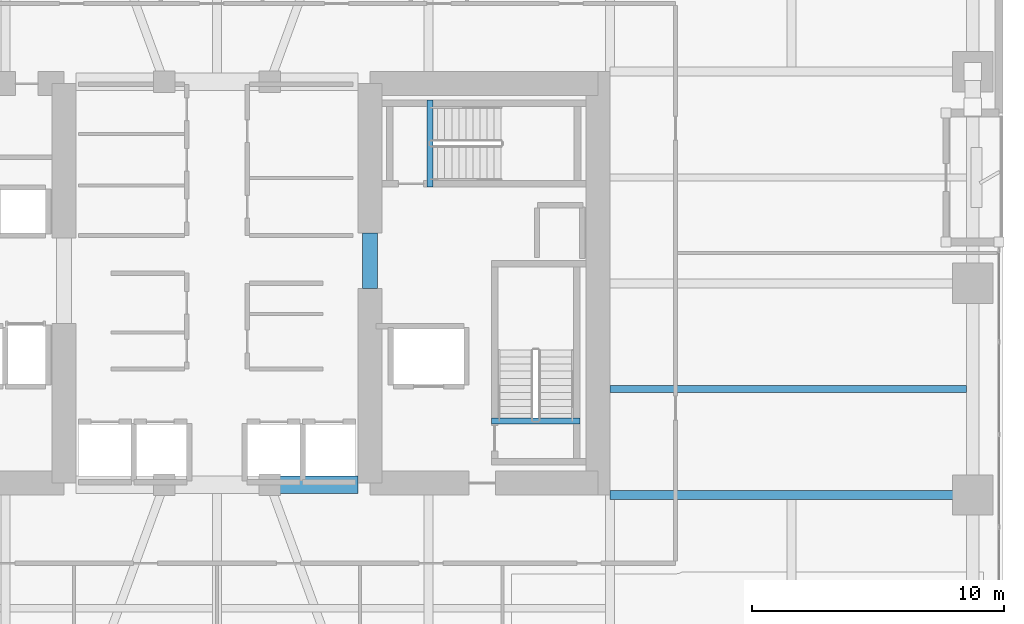
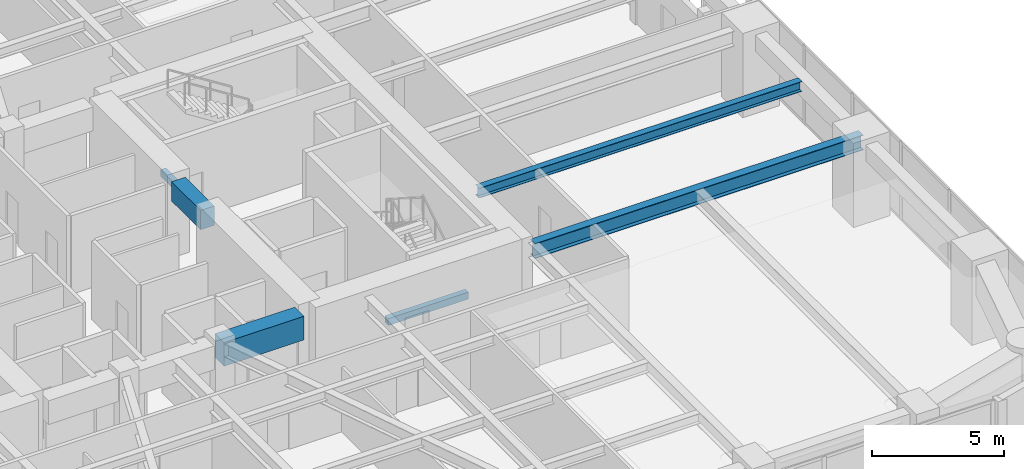
# One storey, part 10 of 26: 6 beams.
"""IFC4 building model written with IfcOpenShell, lengths in metres."""

from ifc_helpers import new_model, si_unit, direction, frame, origin, origin_2d, place, context, subcontext, project, spatial, rectangle, i_section, extrude, material, material_profile, profile_set, type_object, element, save


model = new_model("IFC4")

# Units and contexts
model_context = context("Model", 3, precision=1e-05, world=origin(), true_north=direction((0.0, 1.0)))
body_context = subcontext(model_context, "Body", "Model", "MODEL_VIEW")
ifc_project = project(units=[si_unit("LENGTHUNIT", "METRE"), si_unit("AREAUNIT", "SQUARE_METRE"), si_unit("VOLUMEUNIT", "CUBIC_METRE"), si_unit("PLANEANGLEUNIT", "RADIAN"), si_unit("MASSUNIT", "GRAM", prefix="KILO")], contexts=[model_context])

# Site, building, storey
site_placement = place(None, origin())
site = spatial("IfcSite", under=ifc_project, at=site_placement, CompositionType="ELEMENT")
building_placement = place(site_placement, origin())
building = spatial("IfcBuilding", under=site, at=building_placement, Name="Kiyonajd Concourse Tower", CompositionType="ELEMENT")
storey_placement = place(building_placement, frame((0.0, 0.0, 72.89990234375)))
storey = spatial("IfcBuildingStorey", under=building, at=storey_placement, Name="L19", CompositionType="ELEMENT", Elevation=72.89990234375)

# Beams
ifc_material_1 = material(Name="Concrete C70/85", Category="concrete")
ifc_material_profile_1 = material_profile(ifc_material_1, rectangle(XDim=0.699951171875, YDim=1.10009765625, at=origin_2d()), Name="RCBM-700x1100")
ifc_profile_set_1 = profile_set([ifc_material_profile_1], Name="Concrete C70/85")
beam_type_1 = type_object("IfcBeamType", Name="BM-COUP-1100", PredefinedType="LINTEL", material=ifc_profile_set_1)
beam_1_placement = place(storey_placement, frame((50.10009765625, 28.0, 3.090087890625), z_axis=(1.0, 0.0, 0.0), x_axis=(0.0, 1.0, 0.0)))
element("IfcBeam", 1, at=beam_1_placement, inside=storey, type_object=beam_type_1, Name="L19 Core Coupling Beam S3", PredefinedType="LINTEL", context=body_context, shape_type="SweptSolid", body=[
    extrude(rectangle(XDim=0.699951171875, YDim=1.10009765625, at=origin_2d()), origin(), (0.0, 0.0, 1.0), 3.5),
])
ifc_material_2 = material(Name="Concrete C60/75", Category="concrete")
ifc_material_profile_2 = material_profile(ifc_material_2, rectangle(XDim=0.60009765625, YDim=0.89990234375, at=origin_2d()), Name="RCBM-600x900")
ifc_profile_set_2 = profile_set([ifc_material_profile_2], Name="Concrete C60/75")
beam_type_2 = type_object("IfcBeamType", Name="BM-COUP-900", PredefinedType="LINTEL", material=ifc_profile_set_2)
beam_2_placement = place(storey_placement, frame((54.074951171875, 35.800048828125, 3.090087890625), z_axis=(0.0, 1.0, 0.0), x_axis=(-1.0, 0.0, 0.0)))
element("IfcBeam", 2, at=beam_2_placement, inside=storey, type_object=beam_type_2, Name="L19 East Core Throat Coupling Lintel", PredefinedType="LINTEL", context=body_context, shape_type="SweptSolid", body=[
    extrude(rectangle(XDim=0.60009765625, YDim=0.89990234375, at=origin_2d()), origin(), (0.0, 0.0, 1.0), 2.199951171875),
])
ifc_material_3 = material(Name="Steel ASTM A992 Grade 50", Category="steel")
ifc_material_profile_3 = material_profile(ifc_material_3, i_section(OverallWidth=0.280029296875, OverallDepth=0.462890625, WebThickness=0.0107421875, FlangeThickness=0.017333984375, at=origin_2d()), Name="W460X113")
ifc_profile_set_3 = profile_set([ifc_material_profile_3], Name="Steel ASTM A992 Grade 50")
beam_type_3 = type_object("IfcBeamType", Name="BM-JST-460A", PredefinedType="JOIST", material=ifc_profile_set_3)
beam_3_placement = place(storey_placement, frame((63.60009765625, 31.800048828125, 3.40869140625), z_axis=(1.0, 0.0, 0.0), x_axis=(0.0, 1.0, 0.0)))
element("IfcBeam", 3, at=beam_3_placement, inside=storey, type_object=beam_type_3, Name="L19 East Secondary Floor Joist", PredefinedType="JOIST", context=body_context, shape_type="SweptSolid", body=[
    extrude(i_section(OverallWidth=0.280029296875, OverallDepth=0.462890625, WebThickness=0.0107421875, FlangeThickness=0.017333984375, at=origin_2d()), origin(), (0.0, 0.0, 1.0), 14.14990234375),
])
ifc_material_4 = material(Name="Concrete C50/60", Category="concrete")
ifc_material_profile_4 = material_profile(ifc_material_4, rectangle(XDim=0.239990234375, YDim=0.320068359375, at=origin_2d()), Name="RCBM-240x320")
ifc_profile_set_4 = profile_set([ifc_material_profile_4], Name="Concrete C50/60")
beam_type_4 = type_object("IfcBeamType", Name="BM-LNT-250", PredefinedType="LINTEL", material=ifc_profile_set_4)
beam_4_placement = place(storey_placement, frame((58.889892578125, 30.530029296875, -0.159912109375), z_axis=(1.0, 0.0, 0.0), x_axis=(0.0, 1.0, 0.0)))
element("IfcBeam", 4, at=beam_4_placement, inside=storey, type_object=beam_type_4, Name="L19 Stair ST2 Threshold Support Beam", PredefinedType="LINTEL", context=body_context, shape_type="SweptSolid", body=[
    extrude(rectangle(XDim=0.239990234375, YDim=0.320068359375, at=origin_2d()), origin(), (0.0, 0.0, 1.0), 3.52001953125),
])
beam_5_placement = place(storey_placement, frame((56.4599609375, 39.820068359375, -0.159912109375), z_axis=(0.0, 1.0, 0.0), x_axis=(-1.0, 0.0, 0.0)))
element("IfcBeam", 5, at=beam_5_placement, inside=storey, type_object=beam_type_4, Name="L19 Stair ST3 Threshold Support Beam", PredefinedType="LINTEL", context=body_context, shape_type="SweptSolid", body=[
    extrude(rectangle(XDim=0.239990234375, YDim=0.320068359375, at=origin_2d()), origin(), (0.0, 0.0, 1.0), 3.4599609375),
])
ifc_material_profile_5 = material_profile(ifc_material_3, i_section(OverallWidth=0.35498046875, OverallDepth=0.695068359375, WebThickness=0.015380859375, FlangeThickness=0.02490234375, at=origin_2d()), Name="W690X217")
ifc_profile_set_5 = profile_set([ifc_material_profile_5], Name="Steel ASTM A992 Grade 50")
beam_type_5 = type_object("IfcBeamType", Name="BM-TWR-690", PredefinedType="BEAM", material=ifc_profile_set_5)
beam_6_placement = place(storey_placement, frame((63.60009765625, 27.60009765625, 3.29248046875), z_axis=(1.0, 0.0, 0.0), x_axis=(0.0, 1.0, 0.0)))
element("IfcBeam", 6, at=beam_6_placement, inside=storey, type_object=beam_type_5, Name="L19 East Lease Girder", PredefinedType="BEAM", context=body_context, shape_type="SweptSolid", body=[
    extrude(i_section(OverallWidth=0.35498046875, OverallDepth=0.695068359375, WebThickness=0.015380859375, FlangeThickness=0.02490234375, at=origin_2d()), origin(), (0.0, 0.0, 1.0), 14.39990234375),
])

save(model, "model.ifc")
